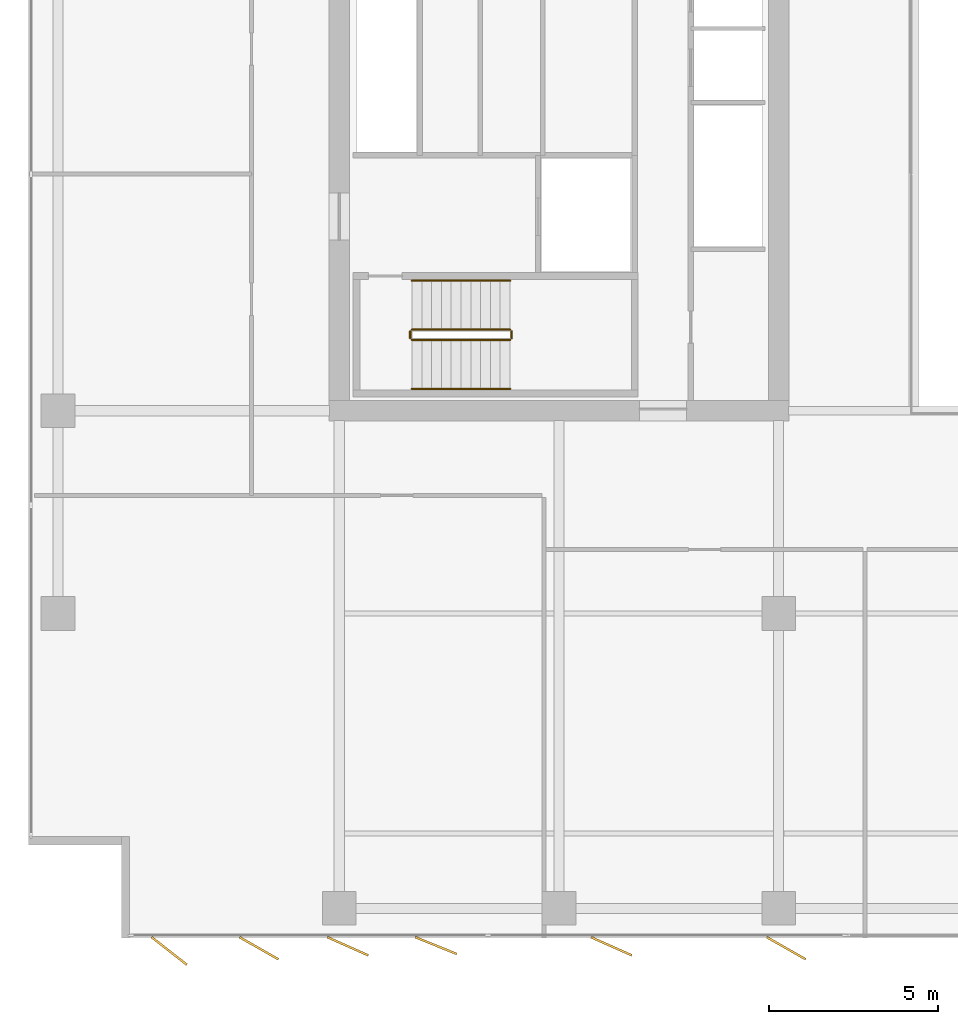
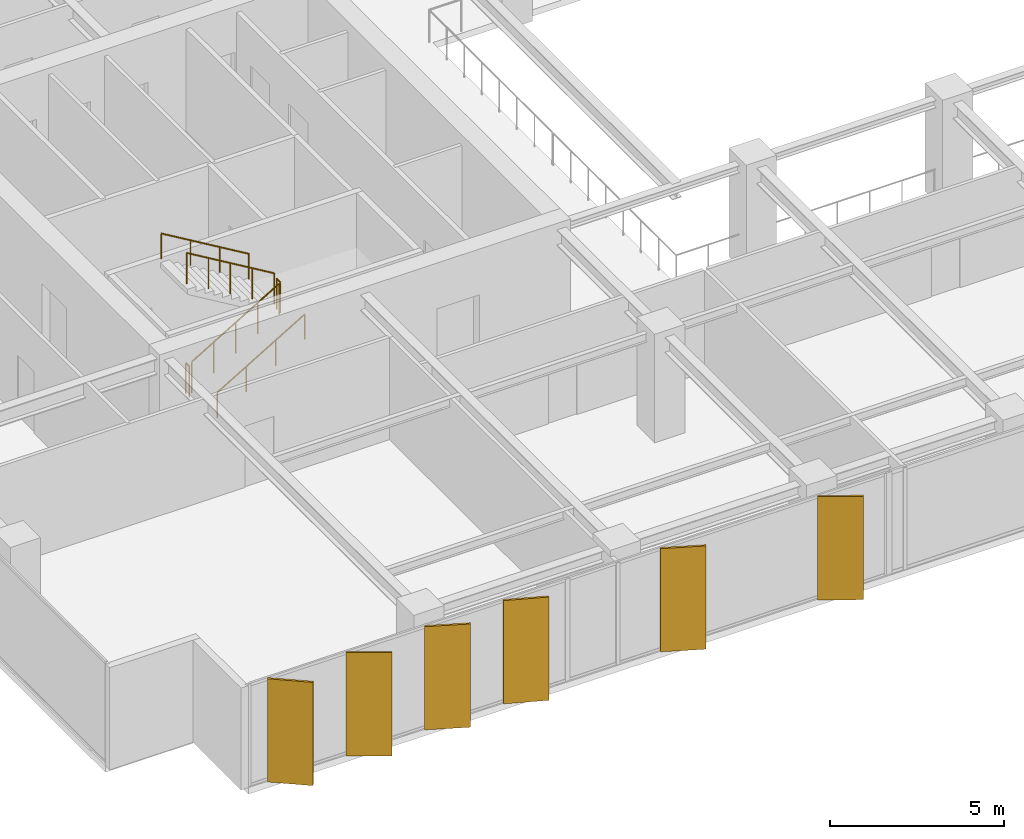
# One storey, part 19 of 22: 6 railings, 6 shading devices.
"""IFC4 building model written with IfcOpenShell, lengths in metres."""

from ifc_helpers import new_model, si_unit, direction, frame, origin, origin_2d, place, context, subcontext, project, spatial, rectangle, circle, extrude, material, layer, layer_set, type_object, element, save


model = new_model("IFC4")

# Units and contexts
model_context = context("Model", 3, precision=1e-05, world=origin(), true_north=direction((0.0, 1.0)))
body_context = subcontext(model_context, "Body", "Model", "MODEL_VIEW")
ifc_project = project(units=[si_unit("LENGTHUNIT", "METRE"), si_unit("AREAUNIT", "SQUARE_METRE"), si_unit("VOLUMEUNIT", "CUBIC_METRE"), si_unit("PLANEANGLEUNIT", "RADIAN"), si_unit("MASSUNIT", "GRAM", prefix="KILO")], contexts=[model_context])

# Site, building, storey
site_placement = place(None, origin())
site = spatial("IfcSite", under=ifc_project, at=site_placement, CompositionType="ELEMENT")
building_placement = place(site_placement, origin())
building = spatial("IfcBuilding", under=site, at=building_placement, Name="Putna Gate Headquarters", CompositionType="ELEMENT")
storey_placement = place(building_placement, frame((0.0, 0.0, 148.0)))
storey = spatial("IfcBuildingStorey", under=building, at=storey_placement, Name="L36", CompositionType="ELEMENT", Elevation=148.0)

# Railings
ifc_material_1 = material(Name="Powder-coated steel stair guardrail", Category="steel")
railing_type_1 = type_object("IfcRailingType", Name="RAIL-STAIR-GUARD-1100", PredefinedType="GUARDRAIL", material=ifc_material_1)
railing_1_placement = place(storey_placement, frame((15.14990234375, 21.10009765625, 0.172607421875)))
element("IfcRailing", 1, at=railing_1_placement, inside=storey, type_object=railing_type_1, Name="L36 ST1 stair guard 1", PredefinedType="GUARDRAIL", context=body_context, shape_type="SweptSolid", body=[
    extrude(circle(Radius=0.02392578125, at=origin_2d()), frame((0.0, 0.0, 1.076171875), z_axis=(0.859160404282, 0.0, 0.51170636083), x_axis=(0.0, 1.0, 0.0)), (0.0, 0.0, 1.0), 3.37548828125),
    extrude(circle(Radius=0.02099609375, at=origin_2d()), origin(), (0.0, 0.0, 1.0), 1.052001953125),
    extrude(circle(Radius=0.02099609375, at=origin_2d()), frame((0.72509765625, 0.0, 0.431884765625)), (0.0, 0.0, 1.0), 1.052001953125),
    extrude(circle(Radius=0.02099609375, at=origin_2d()), frame((1.4501953125, 0.0, 0.86376953125)), (0.0, 0.0, 1.0), 1.052001953125),
    extrude(circle(Radius=0.02099609375, at=origin_2d()), frame((2.175048828125, 0.0, 1.29541015625)), (0.0, 0.0, 1.0), 1.052001953125),
    extrude(circle(Radius=0.02099609375, at=origin_2d()), frame((2.900146484375, 0.0, 1.727294921875)), (0.0, 0.0, 1.0), 1.052001953125),
])
railing_2_placement = place(storey_placement, frame((18.10009765625, 21.14990234375, 1.89990234375)))
element("IfcRailing", 2, at=railing_2_placement, inside=storey, type_object=railing_type_1, Name="L36 ST1 stair guard 2", PredefinedType="GUARDRAIL", context=body_context, shape_type="SweptSolid", body=[
    extrude(circle(Radius=0.02392578125, at=origin_2d()), frame((0.0, 0.0, 1.076171875), z_axis=(0.0, 1.0, 0.0), x_axis=(-1.0, 0.0, 0.0)), (0.0, 0.0, 1.0), 0.2001953125),
    extrude(circle(Radius=0.02099609375, at=origin_2d()), origin(), (0.0, 0.0, 1.0), 1.052001953125),
    extrude(circle(Radius=0.02099609375, at=origin_2d()), frame((0.0, 0.2001953125, 0.0)), (0.0, 0.0, 1.0), 1.052001953125),
])
railing_3_placement = place(storey_placement, frame((18.050048828125, 21.39990234375, 2.07275390625)))
element("IfcRailing", 3, at=railing_3_placement, inside=storey, type_object=railing_type_1, Name="L36 ST1 stair guard 3", PredefinedType="GUARDRAIL", context=body_context, shape_type="SweptSolid", body=[
    extrude(circle(Radius=0.02392578125, at=origin_2d()), frame((0.0, 0.0, 1.076171875), z_axis=(-0.859160404282, 0.0, 0.51170636083), x_axis=(0.0, -1.0, 0.0)), (0.0, 0.0, 1.0), 3.37548828125),
    extrude(circle(Radius=0.02099609375, at=origin_2d()), origin(), (0.0, 0.0, 1.0), 1.052001953125),
    extrude(circle(Radius=0.02099609375, at=origin_2d()), frame((-0.72509765625, 0.0, 0.431884765625)), (0.0, 0.0, 1.0), 1.052001953125),
    extrude(circle(Radius=0.02099609375, at=origin_2d()), frame((-1.4501953125, 0.0, 0.86376953125)), (0.0, 0.0, 1.0), 1.052001953125),
    extrude(circle(Radius=0.02099609375, at=origin_2d()), frame((-2.175048828125, 0.0, 1.29541015625)), (0.0, 0.0, 1.0), 1.052001953125),
    extrude(circle(Radius=0.02099609375, at=origin_2d()), frame((-2.900146484375, 0.0, 1.727294921875)), (0.0, 0.0, 1.0), 1.052001953125),
])
railing_4_placement = place(storey_placement, frame((15.10009765625, 21.14990234375, 0.0)))
element("IfcRailing", 4, at=railing_4_placement, inside=storey, type_object=railing_type_1, Name="L36 ST1 stair guard 4", PredefinedType="GUARDRAIL", context=body_context, shape_type="SweptSolid", body=[
    extrude(circle(Radius=0.02392578125, at=origin_2d()), frame((0.0, 0.0, 1.076171875), z_axis=(0.0, 1.0, 0.0), x_axis=(-1.0, 0.0, 0.0)), (0.0, 0.0, 1.0), 0.2001953125),
    extrude(circle(Radius=0.02099609375, at=origin_2d()), origin(), (0.0, 0.0, 1.0), 1.052001953125),
    extrude(circle(Radius=0.02099609375, at=origin_2d()), frame((0.0, 0.2001953125, 0.0)), (0.0, 0.0, 1.0), 1.052001953125),
])
ifc_material_2 = material(Name="Brushed stainless steel handrail", Category="steel")
railing_type_2 = type_object("IfcRailingType", Name="RAIL-STAIR-HAND-900", PredefinedType="HANDRAIL", material=ifc_material_2)
railing_5_placement = place(storey_placement, frame((15.14990234375, 19.64990234375, 0.172607421875)))
element("IfcRailing", 5, at=railing_5_placement, inside=storey, type_object=railing_type_2, Name="L36 ST1 stair handrail 1", PredefinedType="HANDRAIL", context=body_context, shape_type="SweptSolid", body=[
    extrude(circle(Radius=0.02392578125, at=origin_2d()), frame((0.0, 0.0, 0.8759765625), z_axis=(0.859160404282, 0.0, 0.51170636083), x_axis=(0.0, 1.0, 0.0)), (0.0, 0.0, 1.0), 3.37548828125),
    extrude(circle(Radius=0.02099609375, at=origin_2d()), origin(), (0.0, 0.0, 1.0), 0.851806640625),
    extrude(circle(Radius=0.02099609375, at=origin_2d()), frame((0.966796875, 0.0, 0.57568359375)), (0.0, 0.0, 1.0), 0.851806640625),
    extrude(circle(Radius=0.02099609375, at=origin_2d()), frame((1.933349609375, 0.0, 1.151611328125)), (0.0, 0.0, 1.0), 0.851806640625),
    extrude(circle(Radius=0.02099609375, at=origin_2d()), frame((2.900146484375, 0.0, 1.727294921875)), (0.0, 0.0, 1.0), 0.851806640625),
])
railing_6_placement = place(storey_placement, frame((18.050048828125, 22.85009765625, 2.07275390625)))
element("IfcRailing", 6, at=railing_6_placement, inside=storey, type_object=railing_type_2, Name="L36 ST1 stair handrail 2", PredefinedType="HANDRAIL", context=body_context, shape_type="SweptSolid", body=[
    extrude(circle(Radius=0.02392578125, at=origin_2d()), frame((0.0, 0.0, 0.8759765625), z_axis=(-0.859160404282, 0.0, 0.51170636083), x_axis=(0.0, -1.0, 0.0)), (0.0, 0.0, 1.0), 3.37548828125),
    extrude(circle(Radius=0.02099609375, at=origin_2d()), origin(), (0.0, 0.0, 1.0), 0.851806640625),
    extrude(circle(Radius=0.02099609375, at=origin_2d()), frame((-0.966796875, 0.0, 0.57568359375)), (0.0, 0.0, 1.0), 0.851806640625),
    extrude(circle(Radius=0.02099609375, at=origin_2d()), frame((-1.933349609375, 0.0, 1.151611328125)), (0.0, 0.0, 1.0), 0.851806640625),
    extrude(circle(Radius=0.02099609375, at=origin_2d()), frame((-2.900146484375, 0.0, 1.727294921875)), (0.0, 0.0, 1.0), 0.851806640625),
])

# Shading devices
ifc_material_3 = material(Name="Anodised architectural bronze aluminium fin", Category="aluminium")
ifc_layer = layer(ifc_material_3, 0.06494140625)
ifc_layer_set = layer_set([ifc_layer], Name="Anodised architectural bronze aluminium fin")
shading_device_type = type_object("IfcShadingDeviceType", Name="SHADE-BRONZE-FIN-1320", PredefinedType="USERDEFINED", material=ifc_layer_set)
for number, where, z_axis, x_axis, name in (
    (7, (7.9697265625, 3.018310546875, -0.02001953125), (0.0, 0.0, 1.0), (0.787473187632, -0.616348909921, 0.0), "L36 Bronze Vertical Shading Fin S1"),
    (8, (10.623779296875, 3.098876953125, -0.02001953125), (0.0, 0.0, 1.0), (0.869322458298, -0.494245347472, 0.0), "L36 Bronze Vertical Shading Fin S2"),
    (9, (13.2529296875, 3.15673828125, -0.02001953125), (0.0, 0.0, 1.0), (0.913687379856, -0.40641773078, 0.0), "L36 Bronze Vertical Shading Fin S3"),
    (10, (15.86181640625, 3.177734375, -0.02001953125), (0.0, 0.0, 1.0), (0.927183854567, -0.374606593416, 0.0), "L36 Bronze Vertical Shading Fin S4"),
    (11, (21.052978515625, 3.15673828125, -0.02001953125), (0.0, 0.0, 1.0), (0.913687379856, -0.40641773078, 0.0), "L36 Bronze Vertical Shading Fin S5"),
    (12, (26.223876953125, 3.098876953125, -0.02001953125), (0.0, 0.0, 1.0), (0.869322458298, -0.494245347472, 0.0), "L36 Bronze Vertical Shading Fin S6"),
):
    element("IfcShadingDevice", number, at=place(storey_placement, frame(where, z_axis=z_axis, x_axis=x_axis)), inside=storey, type_object=shading_device_type, Name=name, ObjectType="FIN", PredefinedType="USERDEFINED", context=body_context, shape_type="SweptSolid", body=[
        extrude(rectangle(XDim=1.320068359375, YDim=0.06494140625, at=origin_2d()), origin(), (0.0, 0.0, 1.0), 3.612060546875),
    ])

save(model, "model.ifc")
